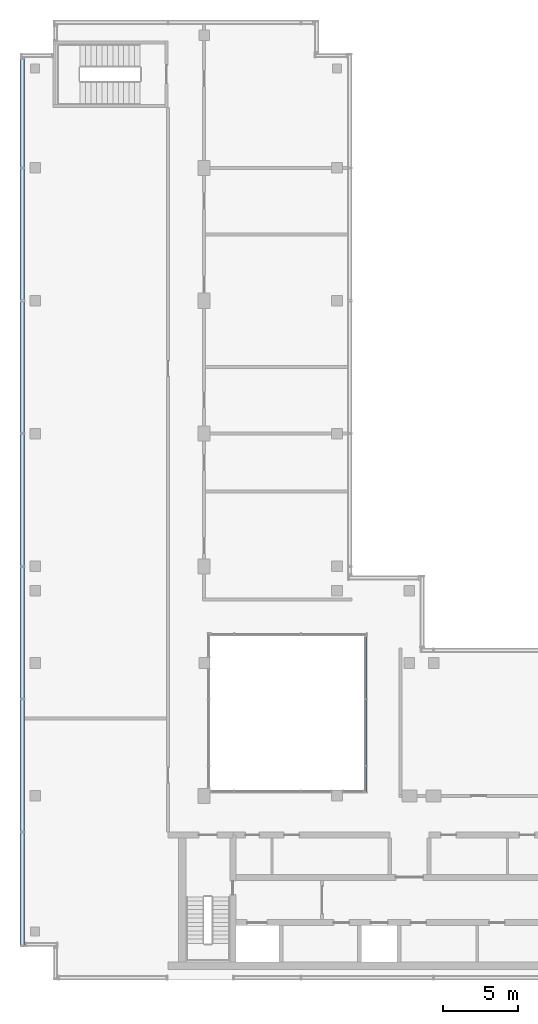
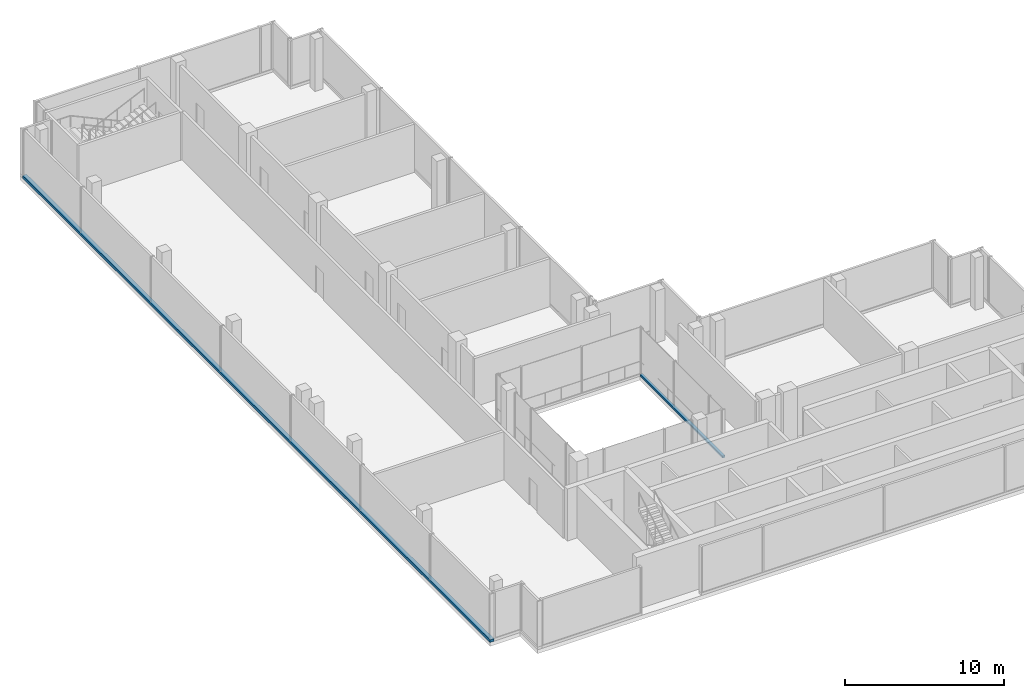
# One storey, part 4 of 11: 2 members, 2 elements without a shape of their own.
"""IFC4 building model written with IfcOpenShell, lengths in metres."""

import ifcopenshell
import ifcopenshell.guid

model = None  # the IFC model being written
_history = None  # IfcOwnerHistory: only IFC2X3 demands one
_inside = {}  # id of a spatial element -> (the spatial element, [elements in it])
_under = {}  # id of a project, library or spatial element -> (it, [spatial elements below it])
_declared = {}  # id of a project -> (the project, [libraries it declares])
_typed = {}  # id of a type object -> (the type object, [elements of that type])
_made_of = {}  # id of a material, layer set ... -> (it, [elements and type objects made of it])


def new_model(schema):
    """Start an empty IFC model of exactly this schema.

    Asked for "IFC4X3", IfcOpenShell would pick the latest addendum, in which some entities
    have other attributes; the version numbers below select the first issue.
    IFC2X3 requires an IfcOwnerHistory on every rooted entity: one is made here for all.
    """
    global model, _history
    if schema == "IFC4X3":
        model = ifcopenshell.file(schema_version=(4, 3, 0, 0))
    else:
        model = ifcopenshell.file(schema=schema)
    _inside.clear()
    _under.clear()
    _declared.clear()
    _typed.clear()
    _made_of.clear()
    _history = None
    if model.schema == "IFC2X3":
        org = make("IfcOrganization", Name="unknown")
        user = make(
            "IfcPersonAndOrganization",
            ThePerson=make("IfcPerson", FamilyName="unknown"),
            TheOrganization=org,
        )
        app = make(
            "IfcApplication",
            ApplicationDeveloper=org,
            Version="unknown",
            ApplicationFullName="unknown",
            ApplicationIdentifier="unknown",
        )
        _history = make(
            "IfcOwnerHistory",
            OwningUser=user,
            OwningApplication=app,
            ChangeAction="ADDED",
            CreationDate=0,
        )
    return model


def make(cls, **values):
    """One entity of the class cls with the attributes given. An attribute that is None is left unset."""
    return model.create_entity(
        cls, **{name: value for name, value in values.items() if value is not None}
    )


def rooted(cls, **values):
    """An entity with a GlobalId (a new one), such as an element, a storey or a relation."""
    return make(cls, GlobalId=ifcopenshell.guid.new(), OwnerHistory=_history, **values)


def si_unit(unit_type, name, prefix=None):
    """IfcSIUnit, for example si_unit("LENGTHUNIT", "METRE", prefix="MILLI")."""
    return make("IfcSIUnit", UnitType=unit_type, Prefix=prefix, Name=name)


def assignment(units):
    """IfcUnitAssignment: the units of a project."""
    return None if units is None else make("IfcUnitAssignment", Units=units)


def point(xyz):
    """IfcCartesianPoint."""
    return None if xyz is None else make("IfcCartesianPoint", Coordinates=xyz)


def direction(xyz):
    """IfcDirection."""
    return None if xyz is None else make("IfcDirection", DirectionRatios=xyz)


def frame(location, z_axis=None, x_axis=None):
    """IfcAxis2Placement3D, a coordinate frame: its origin and axes. An axis left out is left unset."""
    return make(
        "IfcAxis2Placement3D",
        Location=point(location),
        Axis=direction(z_axis),
        RefDirection=direction(x_axis),
    )


def frame_2d(location, x_axis=None):
    """IfcAxis2Placement2D, a coordinate frame in the plane: its origin and x axis."""
    return make(
        "IfcAxis2Placement2D", Location=point(location), RefDirection=direction(x_axis)
    )


def origin():
    """The frame at (0, 0, 0) with its axes left unset."""
    return frame((0.0, 0.0, 0.0))


def origin_2d():
    """The frame at (0, 0) in the plane with its x axis left unset."""
    return frame_2d((0.0, 0.0))


def place(relative_to, where):
    """IfcLocalPlacement: puts the frame where relative to a parent placement (None: the world)."""
    return make(
        "IfcLocalPlacement", PlacementRelTo=relative_to, RelativePlacement=where
    )


def context(
    kind, dimensions, precision=None, world=None, true_north=None, identifier=None
):
    """IfcGeometricRepresentationContext, for example the 3D "Model" context."""
    return make(
        "IfcGeometricRepresentationContext",
        ContextIdentifier=identifier,
        ContextType=kind,
        CoordinateSpaceDimension=dimensions,
        Precision=precision,
        WorldCoordinateSystem=world,
        TrueNorth=true_north,
    )


def subcontext(parent, identifier, kind, view, scale=None):
    """IfcGeometricRepresentationSubContext, for example "Body" below "Model"."""
    return make(
        "IfcGeometricRepresentationSubContext",
        ContextIdentifier=identifier,
        ContextType=kind,
        ParentContext=parent,
        TargetScale=scale,
        TargetView=view,
    )


def project(units=None, contexts=None):
    """IfcProject with its units and contexts."""
    return rooted(
        "IfcProject",
        Name="project",
        RepresentationContexts=contexts,
        UnitsInContext=assignment(units),
    )


def spatial(cls, under=None, at=None, **own):
    """A site, building, storey or space (cls), placed at a placement, below another one or the project."""
    s = rooted(cls, ObjectPlacement=at, **own)
    if under is not None:
        _under.setdefault(under.id(), (under, []))[1].append(s)
    return s


def profile(cls, at=None, kind="AREA", **sizes):
    """A parametric profile (cls). Its sizes go by their IFC names, for example OverallWidth=200.0."""
    return make(cls, ProfileType=kind, Position=at, **sizes)


def rectangle(**sizes):
    """IfcRectangleProfileDef."""
    return profile("IfcRectangleProfileDef", **sizes)


def extrude(swept, where, along, depth):
    """IfcExtrudedAreaSolid: the profile swept, set in the frame where, extruded along a direction by depth."""
    return make(
        "IfcExtrudedAreaSolid",
        SweptArea=swept,
        Position=where,
        ExtrudedDirection=direction(along),
        Depth=depth,
    )


def shape(context_of_items, identifier, shape_type, items):
    """IfcShapeRepresentation: the items that make up one representation, for example the "Body"."""
    return make(
        "IfcShapeRepresentation",
        ContextOfItems=context_of_items,
        RepresentationIdentifier=identifier,
        RepresentationType=shape_type,
        Items=items,
    )


def material(Name=None, Category=None):
    """IfcMaterial."""
    return make("IfcMaterial", Name=Name, Category=Category)


def material_profile(
    of_material, cross_section, Name=None, Category=None, Priority=None
):
    """IfcMaterialProfile: a cross section and its material."""
    return make(
        "IfcMaterialProfile",
        Name=Name,
        Material=of_material,
        Profile=cross_section,
        Priority=Priority,
        Category=Category,
    )


def profile_set(profiles, Name=None, composite=None):
    """IfcMaterialProfileSet."""
    return make(
        "IfcMaterialProfileSet",
        Name=Name,
        MaterialProfiles=profiles,
        CompositeProfile=composite,
    )


def made_of(thing, what):
    """Note that an element or type object is made of a material, layer set ...; save() writes the relation."""
    if what is not None:
        _made_of.setdefault(what.id(), (what, []))[1].append(thing)
    return thing


def type_object(cls, material=None, **own):
    """A type object (cls), such as IfcWallType, which elements share."""
    return made_of(rooted(cls, **own), material)


def element(
    cls,
    number,
    at=None,
    inside=None,
    cuts=None,
    type_object=None,
    material=None,
    context=None,
    identifier="Body",
    shape_type=None,
    held_by="IfcProductDefinitionShape",
    body=None,
    shapes=None,
    **own,
):
    """One element of the class cls, such as IfcWall. Its Tag is "e" and its number.

    at: its placement. inside: the storey or other place that contains it. cuts: it is an
    opening in that element (IfcRelVoidsElement). A single representation is given by context,
    identifier, shape_type and body (its items); several are given by shapes. held_by: the class
    of the entity that holds the representations. save() writes the other relations.
    """
    e = rooted(cls, Tag="e%d" % number, ObjectPlacement=at, **own)
    if body is not None:
        shapes = [shape(context, identifier, shape_type, body)]
    if shapes is not None:
        e.Representation = make(held_by, Representations=shapes)
    if inside is not None:
        _inside.setdefault(inside.id(), (inside, []))[1].append(e)
    if cuts is not None:
        rooted(
            "IfcRelVoidsElement", RelatingBuildingElement=cuts, RelatedOpeningElement=e
        )
    if type_object is not None:
        _typed.setdefault(type_object.id(), (type_object, []))[1].append(e)
    return made_of(e, material)


def aggregate(whole, parts):
    """IfcRelAggregates: a whole, such as a stair, and the parts it consists of."""
    return rooted("IfcRelAggregates", RelatingObject=whole, RelatedObjects=parts)


def save(model, path):
    """Write the relations noted so far, then the file.

    IfcRelAggregates (storeys below a building ...), IfcRelContainedInSpatialStructure (elements
    in a storey), IfcRelDefinesByType, IfcRelAssociatesMaterial and IfcRelDeclares: one each for
    every whole, place, type object, material and project.
    """
    for whole, parts in _under.values():
        aggregate(whole, parts)
    for where, things in _inside.values():
        rooted(
            "IfcRelContainedInSpatialStructure",
            RelatedElements=things,
            RelatingStructure=where,
        )
    for kind, things in _typed.values():
        rooted("IfcRelDefinesByType", RelatedObjects=things, RelatingType=kind)
    for what, things in _made_of.values():
        rooted("IfcRelAssociatesMaterial", RelatedObjects=things, RelatingMaterial=what)
    for by, libraries in _declared.values():
        rooted("IfcRelDeclares", RelatingContext=by, RelatedDefinitions=libraries)
    model.write(path)


model = new_model("IFC4")

# Units and contexts
model_context = context("Model", 3, precision=1e-05, world=origin(), true_north=direction((0.0, 1.0)))
body_context = subcontext(model_context, "Body", "Model", "MODEL_VIEW")
ifc_project = project(units=[si_unit("LENGTHUNIT", "METRE"), si_unit("AREAUNIT", "SQUARE_METRE"), si_unit("VOLUMEUNIT", "CUBIC_METRE"), si_unit("PLANEANGLEUNIT", "RADIAN"), si_unit("MASSUNIT", "GRAM", prefix="KILO")], contexts=[model_context])

# Site, building, storey
site_placement = place(None, origin())
site = spatial("IfcSite", under=ifc_project, at=site_placement, CompositionType="ELEMENT")
building_placement = place(site_placement, origin())
building = spatial("IfcBuilding", under=site, at=building_placement, Name="Kemantara Hotel Tower", CompositionType="ELEMENT")
storey_placement = place(building_placement, frame((0.0, 0.0, 326.199951171875)))
storey = spatial("IfcBuildingStorey", under=building, at=storey_placement, Name="L82", CompositionType="ELEMENT", Elevation=326.199951171875)

# Curtain wall, member
ifc_material_1 = material(Name="Clear low-iron laminated glass 36 mm", Category="glass")
curtain_wall_type_1 = type_object("IfcCurtainWallType", Name="ATRIUM GLAZING WALL", PredefinedType="USERDEFINED", material=ifc_material_1)
curtain_wall_1_placement = place(storey_placement, origin())
curtain_wall_1 = element("IfcCurtainWall", 1, at=curtain_wall_1_placement, inside=storey, type_object=curtain_wall_type_1, Name="CW5 L82 ATR-R1-1", ObjectType="ATRIUM GLAZING WALL", PredefinedType="USERDEFINED")
ifc_material_2 = material(Name="Aluminium 6063-T6 bronze anodised", Category="aluminium")
ifc_material_profile_1 = material_profile(ifc_material_2, rectangle(XDim=0.199951171875, YDim=0.14990234375, at=origin_2d()), Name="ATRIUM GLAZING WALL TRANSOM")
ifc_profile_set_1 = profile_set([ifc_material_profile_1], Name="Aluminium 6063-T6 bronze anodised")
member_type_1 = type_object("IfcMemberType", Name="ATRIUM GLAZING WALL TRANSOM", PredefinedType="USERDEFINED", material=ifc_profile_set_1)
member_1_placement = place(storey_placement, frame((22.89990234375, 22.800048828125, 0.074951171875), z_axis=(0.0, -1.0, 0.0), x_axis=(1.0, 0.0, 0.0)))
member_1 = element("IfcMember", 2, at=member_1_placement, type_object=member_type_1, Name="CW5 sill transom ATR-R1-1", ObjectType="TRANSOM", PredefinedType="USERDEFINED", context=body_context, shape_type="SweptSolid", body=[
    extrude(rectangle(XDim=0.199951171875, YDim=0.14990234375, at=origin_2d()), origin(), (0.0, 0.0, 1.0), 10.400146484375),
])
aggregate(curtain_wall_1, [member_1])

curtain_wall_type_2 = type_object("IfcCurtainWallType", Name="CROWN LOUVRE SCREEN WALL", PredefinedType="USERDEFINED", material=ifc_material_2)
curtain_wall_2_placement = place(storey_placement, origin())
curtain_wall_2 = element("IfcCurtainWall", 3, at=curtain_wall_2_placement, inside=storey, type_object=curtain_wall_type_2, Name="CW7 L82 CRN-R05-1", ObjectType="CROWN LOUVRE SCREEN WALL", PredefinedType="USERDEFINED")
ifc_material_profile_2 = material_profile(ifc_material_2, rectangle(XDim=0.300048828125, YDim=0.199951171875, at=origin_2d()), Name="CROWN LOUVRE SCREEN WALL TRANSOM")
ifc_profile_set_2 = profile_set([ifc_material_profile_2], Name="Aluminium 6063-T6 bronze anodised")
member_type_2 = type_object("IfcMemberType", Name="CROWN LOUVRE SCREEN WALL TRANSOM", PredefinedType="USERDEFINED", material=ifc_profile_set_2)
member_2_placement = place(storey_placement, frame((0.14990234375, 61.10009765625, 0.10009765625), z_axis=(0.0, -1.0, 0.0), x_axis=(1.0, 0.0, 0.0)))
member_2 = element("IfcMember", 4, at=member_2_placement, type_object=member_type_2, Name="CW7 sill transom CRN-R05-1", ObjectType="TRANSOM", PredefinedType="USERDEFINED", context=body_context, shape_type="SweptSolid", body=[
    extrude(rectangle(XDim=0.300048828125, YDim=0.199951171875, at=origin_2d()), origin(), (0.0, 0.0, 1.0), 58.900146484375),
])
aggregate(curtain_wall_2, [member_2])

save(model, "model.ifc")
